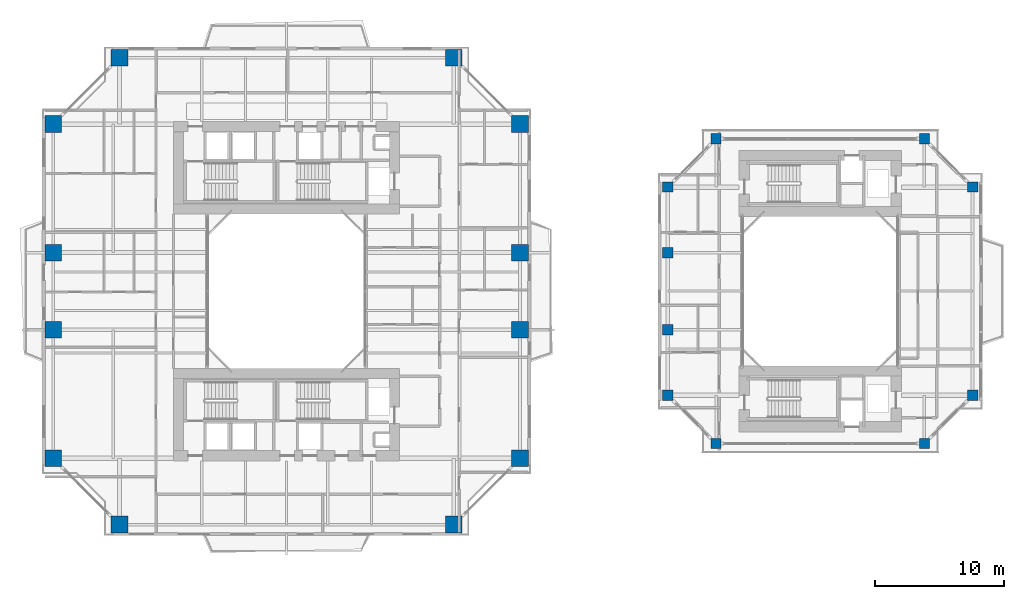
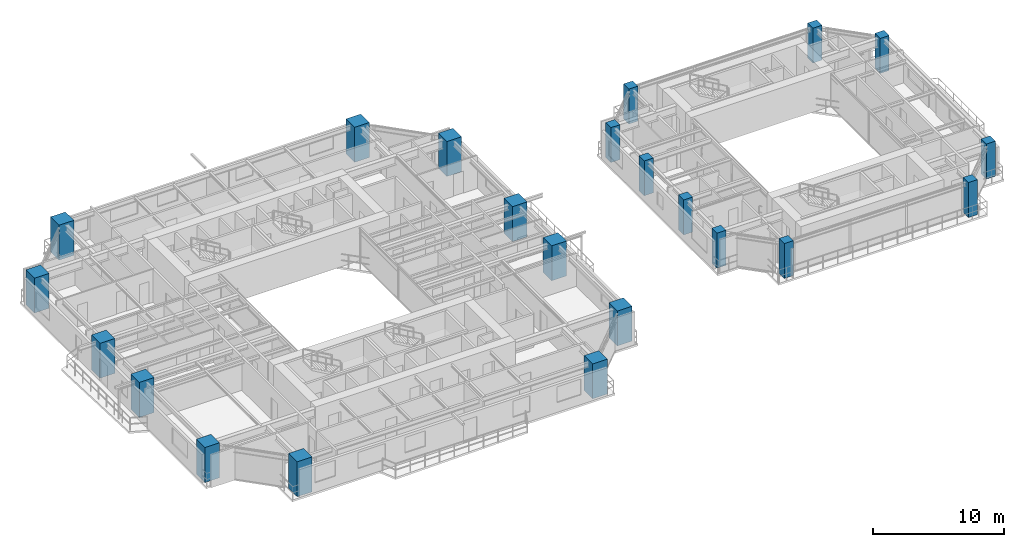
# One storey, part 1 of 23: 22 columns.
"""IFC4 building model written with IfcOpenShell, lengths in metres."""

from ifc_helpers import new_model, si_unit, direction, frame, origin, origin_2d, place, context, subcontext, project, spatial, rectangle, extrude, source, transform, mapped, material, material_profile, profile_set, type_object, element, save


model = new_model("IFC4")

# Units and contexts
model_context = context("Model", 3, precision=1e-05, world=origin(), true_north=direction((0.0, 1.0)))
body_context = subcontext(model_context, "Body", "Model", "MODEL_VIEW")
ifc_project = project(units=[si_unit("LENGTHUNIT", "METRE"), si_unit("AREAUNIT", "SQUARE_METRE"), si_unit("VOLUMEUNIT", "CUBIC_METRE"), si_unit("PLANEANGLEUNIT", "RADIAN"), si_unit("MASSUNIT", "GRAM", prefix="KILO"), si_unit("THERMODYNAMICTEMPERATUREUNIT", "KELVIN"), si_unit("POWERUNIT", "WATT")], contexts=[model_context])

# Site, building, storey
site_placement = place(None, origin())
site = spatial("IfcSite", under=ifc_project, at=site_placement, CompositionType="ELEMENT")
building_placement = place(site_placement, origin())
building = spatial("IfcBuilding", under=site, at=building_placement, Name="Qiaomeng Ring Towers", CompositionType="ELEMENT")
storey_placement = place(building_placement, frame((0.0, 0.0, 79.5)))
storey = spatial("IfcBuildingStorey", under=building, at=storey_placement, Name="L22", CompositionType="ELEMENT", Elevation=79.5)

# Columns
ifc_material_1 = material(Name="Concrete C60", Category="concrete")
ifc_material_profile_1 = material_profile(ifc_material_1, rectangle(XDim=1.300048828125, YDim=1.300048828125, at=origin_2d()), Name="RC COL 1300x1300")
ifc_profile_set_1 = profile_set([ifc_material_profile_1], Name="Concrete C60")
column_type_1 = type_object("IfcColumnType", Name="STR-COL-1300", PredefinedType="COLUMN", material=ifc_profile_set_1)
shared_shape_1 = source(origin(), body_context, "Body", "SweptSolid", [
    extrude(rectangle(XDim=1.300048828125, YDim=1.300048828125, at=origin_2d()), origin(), (0.0, 0.0, 1.0), 3.25),
])
for number, where, z_axis, x_axis, name in (
    (1, (6.0, 4.85009765625, 0.0), (0.0, 0.0, 1.0), (1.0, 0.0, 0.0), "L22 column STR-COL-L22-T1-S1"),
    (2, (32.0, 4.85009765625, 0.0), (0.0, 0.0, 1.0), (1.0, 0.0, 0.0), "L22 column STR-COL-L22-T1-S2"),
    (3, (37.14990234375, 10.0, 0.0), (0.0, 0.0, 1.0), (1.0, 0.0, 0.0), "L22 column STR-COL-L22-T1-E1"),
    (4, (37.14990234375, 20.0, 0.0), (0.0, 0.0, 1.0), (1.0, 0.0, 0.0), "L22 column STR-COL-L22-T1-E2"),
    (5, (37.14990234375, 26.0, 0.0), (0.0, 0.0, 1.0), (1.0, 0.0, 0.0), "L22 column STR-COL-L22-T1-E3"),
    (6, (37.14990234375, 36.0, 0.0), (0.0, 0.0, 1.0), (1.0, 0.0, 0.0), "L22 column STR-COL-L22-T1-E4"),
    (7, (32.0, 41.14990234375, 0.0), (0.0, 0.0, 1.0), (1.0, 0.0, 0.0), "L22 column STR-COL-L22-T1-N2"),
    (8, (6.0, 41.14990234375, 0.0), (0.0, 0.0, 1.0), (1.0, 0.0, 0.0), "L22 column STR-COL-L22-T1-N1"),
    (9, (0.85009765625, 36.0, 0.0), (0.0, 0.0, 1.0), (1.0, 0.0, 0.0), "L22 column STR-COL-L22-T1-W4"),
    (10, (0.85009765625, 26.0, 0.0), (0.0, 0.0, 1.0), (1.0, 0.0, 0.0), "L22 column STR-COL-L22-T1-W3"),
    (11, (0.85009765625, 20.0, 0.0), (0.0, 0.0, 1.0), (1.0, 0.0, 0.0), "L22 column STR-COL-L22-T1-W2"),
    (12, (0.85009765625, 10.0, 0.0), (0.0, 0.0, 1.0), (1.0, 0.0, 0.0), "L22 column STR-COL-L22-T1-W1"),
):
    element("IfcColumn", number, at=place(storey_placement, frame(where, z_axis=z_axis, x_axis=x_axis)), inside=storey, type_object=column_type_1, Name=name, PredefinedType="COLUMN", context=body_context, shape_type="MappedRepresentation", body=[
        mapped(shared_shape_1, transform((0.0, 0.0, 0.0), x_axis=(1.0, 0.0, 0.0), y_axis=(0.0, 1.0, 0.0), z_axis=(0.0, 0.0, 1.0), scale=1.0)),
    ])
ifc_material_2 = material(Name="Concrete C55", Category="concrete")
ifc_material_profile_2 = material_profile(ifc_material_2, rectangle(XDim=0.800048828125, YDim=0.800048828125, at=origin_2d()), Name="RC COL 800x800")
ifc_profile_set_2 = profile_set([ifc_material_profile_2], Name="Concrete C55")
column_type_2 = type_object("IfcColumnType", Name="STR-COL-800-C55", PredefinedType="COLUMN", material=ifc_profile_set_2)
shared_shape_2 = source(origin(), body_context, "Body", "SweptSolid", [
    extrude(rectangle(XDim=0.800048828125, YDim=0.800048828125, at=origin_2d()), origin(), (0.0, 0.0, 1.0), 3.25),
])
for number, where, z_axis, x_axis, name in (
    (13, (52.39990234375, 11.14990234375, 0.0), (0.0, 0.0, 1.0), (1.0, 0.0, 0.0), "L22 column STR-COL-L22-T2-S1"),
    (14, (68.60009765625, 11.14990234375, 0.0), (0.0, 0.0, 1.0), (1.0, 0.0, 0.0), "L22 column STR-COL-L22-T2-S2"),
    (15, (72.35009765625, 14.89990234375, 0.0), (0.0, 0.0, 1.0), (1.0, 0.0, 0.0), "L22 column STR-COL-L22-T2-E1"),
    (16, (72.35009765625, 31.10009765625, 0.0), (0.0, 0.0, 1.0), (1.0, 0.0, 0.0), "L22 column STR-COL-L22-T2-E2"),
    (17, (68.60009765625, 34.85009765625, 0.0), (0.0, 0.0, 1.0), (1.0, 0.0, 0.0), "L22 column STR-COL-L22-T2-N2"),
    (18, (52.39990234375, 34.85009765625, 0.0), (0.0, 0.0, 1.0), (1.0, 0.0, 0.0), "L22 column STR-COL-L22-T2-N1"),
    (19, (48.64990234375, 14.89990234375, 0.0), (0.0, 0.0, 1.0), (1.0, 0.0, 0.0), "L22 column STR-COL-L22-T2-W1"),
    (20, (48.64990234375, 20.0, 0.0), (0.0, 0.0, 1.0), (1.0, 0.0, 0.0), "L22 column STR-COL-L22-T2-W2"),
    (21, (48.64990234375, 26.0, 0.0), (0.0, 0.0, 1.0), (1.0, 0.0, 0.0), "L22 column STR-COL-L22-T2-W3"),
    (22, (48.64990234375, 31.10009765625, 0.0), (0.0, 0.0, 1.0), (1.0, 0.0, 0.0), "L22 column STR-COL-L22-T2-W4"),
):
    element("IfcColumn", number, at=place(storey_placement, frame(where, z_axis=z_axis, x_axis=x_axis)), inside=storey, type_object=column_type_2, Name=name, PredefinedType="COLUMN", context=body_context, shape_type="MappedRepresentation", body=[
        mapped(shared_shape_2, transform((0.0, 0.0, 0.0), x_axis=(1.0, 0.0, 0.0), y_axis=(0.0, 1.0, 0.0), z_axis=(0.0, 0.0, 1.0), scale=1.0)),
    ])

save(model, "model.ifc")
